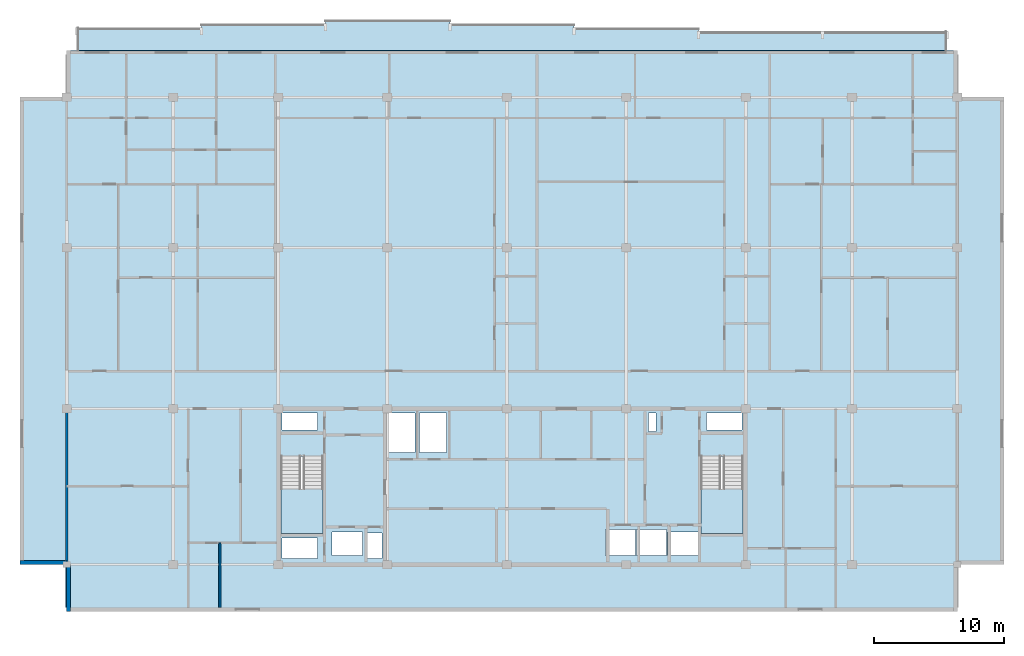
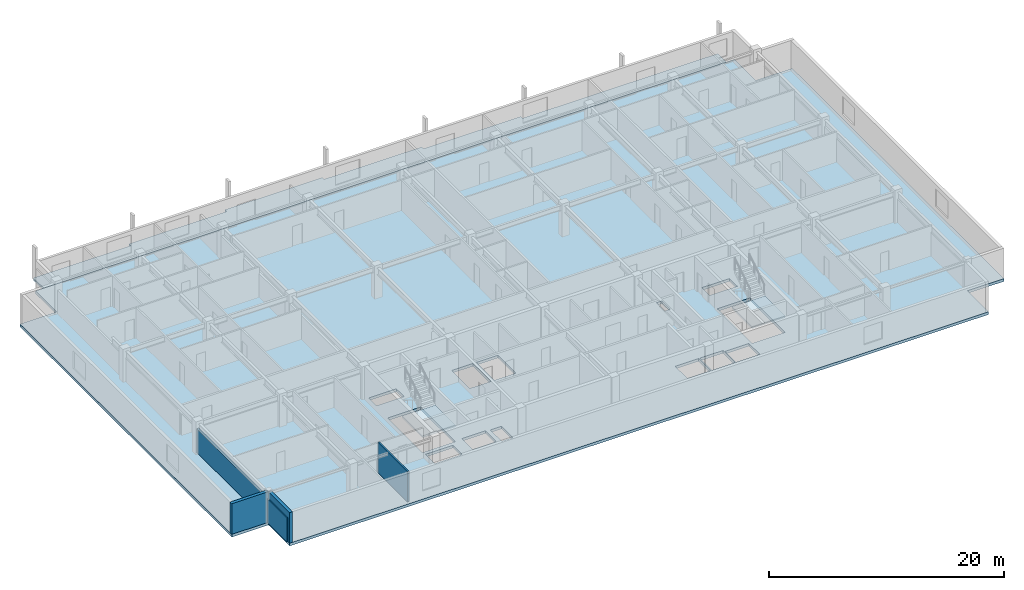
# One storey, part 2 of 10: 4 slabs, 4 walls, 2 elements without a shape of their own.
"""IFC4 building model written with IfcOpenShell, lengths in metres."""

from ifc_helpers import new_model, si_unit, direction, frame, frame_2d, origin, place, context, subcontext, project, spatial, polyline, rectangle, outline, extrude, material, layer, layer_set, type_object, element, aggregate, save


model = new_model("IFC4")

# Units and contexts
model_context = context("Model", 3, precision=1e-05, world=origin(), true_north=direction((0.0, 1.0)))
body_context = subcontext(model_context, "Body", "Model", "MODEL_VIEW")
ifc_project = project(units=[si_unit("LENGTHUNIT", "METRE"), si_unit("AREAUNIT", "SQUARE_METRE"), si_unit("VOLUMEUNIT", "CUBIC_METRE"), si_unit("PLANEANGLEUNIT", "RADIAN"), si_unit("MASSUNIT", "GRAM", prefix="KILO")], contexts=[model_context])

# Site, building, storey
site_placement = place(None, origin())
site = spatial("IfcSite", under=ifc_project, at=site_placement, CompositionType="ELEMENT")
building_placement = place(site_placement, origin())
building = spatial("IfcBuilding", under=site, at=building_placement, Name="Korimba Cascade Residences", CompositionType="ELEMENT")
storey_placement = place(building_placement, frame((0.0, 0.0, 239.0)))
storey = spatial("IfcBuildingStorey", under=building, at=storey_placement, Name="L69", CompositionType="ELEMENT", Elevation=239.0)

# Stair, slab
ifc_material_1 = material(Name="Concrete C50/60", Category="concrete")
stair_type_1 = type_object("IfcStairType", Name="STR-W1-20R-1725", PredefinedType="HALF_TURN_STAIR", material=ifc_material_1)
stair_1_placement = place(storey_placement, origin())
stair_1 = element("IfcStair", 1, at=stair_1_placement, inside=storey, type_object=stair_type_1, Name="L69 Tower 1 West Fire Stair ST-W1", PredefinedType="HALF_TURN_STAIR")
ifc_layer_1 = layer(ifc_material_1, 0.199951171875)
ifc_layer_set_1 = layer_set([ifc_layer_1], Name="Concrete C50/60")
slab_type_1 = type_object("IfcSlabType", Name="SLB-LND-220", PredefinedType="LANDING", material=ifc_layer_set_1)
slab_1_placement = place(storey_placement, frame((0.0, 0.0, 1.52490234375)))
slab_1 = element("IfcSlab", 2, at=slab_1_placement, type_object=slab_type_1, Name="ST-W1 landing 1", PredefinedType="LANDING", context=body_context, shape_type="SweptSolid", body=[
    extrude(outline(polyline([(76.300048828125, 61.030029296875), (76.300048828125, 57.60009765625), (79.5400390625, 57.60009765625), (79.5400390625, 61.030029296875), (76.300048828125, 61.030029296875)])), origin(), (0.0, 0.0, 1.0), 0.2001953125),
])
aggregate(stair_1, [slab_1])

stair_type_2 = type_object("IfcStairType", Name="STR-W2-20R-1725", PredefinedType="HALF_TURN_STAIR", material=ifc_material_1)
stair_2_placement = place(storey_placement, origin())
stair_2 = element("IfcStair", 3, at=stair_2_placement, inside=storey, type_object=stair_type_2, Name="L69 Tower 1 East Fire Stair ST-W2", PredefinedType="HALF_TURN_STAIR")
slab_2_placement = place(storey_placement, frame((0.0, 0.0, 1.52490234375)))
slab_2 = element("IfcSlab", 4, at=slab_2_placement, type_object=slab_type_1, Name="ST-W2 landing 1", PredefinedType="LANDING", context=body_context, shape_type="SweptSolid", body=[
    extrude(outline(polyline([(108.659912109375, 61.030029296875), (108.659912109375, 57.60009765625), (111.89990234375, 57.60009765625), (111.89990234375, 61.030029296875), (108.659912109375, 61.030029296875)])), origin(), (0.0, 0.0, 1.0), 0.2001953125),
])
aggregate(stair_2, [slab_2])

# Slabs
ifc_material_2 = material(Name="Precast concrete C40/50", Category="concrete")
ifc_layer_2 = layer(ifc_material_2, 0.239990234375)
ifc_layer_set_2 = layer_set([ifc_layer_2], Name="Precast concrete C40/50")
slab_type_2 = type_object("IfcSlabType", Name="SLB-LOG-240", PredefinedType="FLOOR", material=ifc_layer_set_2)
slab_3_placement = place(storey_placement, frame((0.0, 0.0, -0.239990234375)))
element("IfcSlab", 5, at=slab_3_placement, inside=storey, type_object=slab_type_2, Name="L69 Tower 1 North Loggia Slab", PredefinedType="FLOOR", context=body_context, shape_type="SweptSolid", body=[
    extrude(outline(polyline([(60.60009765625, 94.800048828125), (127.60009765625, 94.800048828125), (127.60009765625, 96.25), (108.45703125, 96.25), (108.45703125, 96.550048828125), (98.8857421875, 96.550048828125), (98.8857421875, 96.85009765625), (89.314208984375, 96.85009765625), (89.314208984375, 97.14990234375), (79.742919921875, 97.14990234375), (79.742919921875, 96.85009765625), (70.17138671875, 96.85009765625), (70.17138671875, 96.550048828125), (60.60009765625, 96.550048828125), (60.60009765625, 94.800048828125)])), origin(), (0.0, 0.0, 1.0), 0.239990234375),
])
ifc_layer_3 = layer(ifc_material_1, 0.280029296875)
ifc_layer_set_3 = layer_set([ifc_layer_3], Name="Concrete C50/60")
slab_type_3 = type_object("IfcSlabType", Name="SLB-TYP-280", PredefinedType="FLOOR", material=ifc_layer_set_3)
slab_4_placement = place(storey_placement, frame((0.0, 0.0, -0.280029296875)))
element("IfcSlab", 6, at=slab_4_placement, inside=storey, type_object=slab_type_3, Name="L69 Tower 1 Floor Slab", PredefinedType="FLOOR", context=body_context, shape_type="SweptSolid", body=[
    extrude(outline(polyline([(59.800048828125, 51.60009765625), (128.39990234375, 51.60009765625), (128.39990234375, 55.199951171875), (132.0, 55.199951171875), (132.0, 91.199951171875), (128.39990234375, 91.199951171875), (128.39990234375, 94.800048828125), (59.800048828125, 94.800048828125), (59.800048828125, 91.199951171875), (56.199951171875, 91.199951171875), (56.199951171875, 55.199951171875), (59.800048828125, 55.199951171875), (59.800048828125, 51.60009765625)]), holes=[polyline([(76.300048828125, 63.514892578125), (76.300048828125, 57.60009765625), (79.5400390625, 57.60009765625), (79.5400390625, 63.514892578125), (76.300048828125, 63.514892578125)]), polyline([(108.659912109375, 63.514892578125), (108.659912109375, 57.60009765625), (111.89990234375, 57.60009765625), (111.89990234375, 63.514892578125), (108.659912109375, 63.514892578125)]), polyline([(80.22998046875, 55.8798828125), (82.570068359375, 55.8798828125), (82.570068359375, 57.719970703125), (80.22998046875, 57.719970703125), (80.22998046875, 55.8798828125)]), polyline([(106.080078125, 55.8798828125), (108.419921875, 55.8798828125), (108.419921875, 57.719970703125), (106.080078125, 57.719970703125), (106.080078125, 55.8798828125)]), polyline([(101.304931640625, 55.8798828125), (103.594970703125, 55.8798828125), (103.594970703125, 57.919921875), (101.304931640625, 57.919921875), (101.304931640625, 55.8798828125)]), polyline([(103.705078125, 55.8798828125), (105.9951171875, 55.8798828125), (105.9951171875, 57.919921875), (103.705078125, 57.919921875), (103.705078125, 55.8798828125)]), polyline([(82.97998046875, 55.679931640625), (84.080078125, 55.679931640625), (84.080078125, 57.6201171875), (82.97998046875, 57.6201171875), (82.97998046875, 55.679931640625)]), polyline([(76.39990234375, 65.56005859375), (79.10009765625, 65.56005859375), (79.10009765625, 66.8798828125), (76.39990234375, 66.8798828125), (76.39990234375, 65.56005859375)]), polyline([(76.39990234375, 55.679931640625), (79.10009765625, 55.679931640625), (79.10009765625, 57.239990234375), (76.39990234375, 57.239990234375), (76.39990234375, 55.679931640625)]), polyline([(84.530029296875, 63.820068359375), (86.6201171875, 63.820068359375), (86.6201171875, 66.8798828125), (84.530029296875, 66.8798828125), (84.530029296875, 63.820068359375)]), polyline([(86.97998046875, 63.820068359375), (89.070068359375, 63.820068359375), (89.070068359375, 66.8798828125), (86.97998046875, 66.8798828125), (86.97998046875, 63.820068359375)]), polyline([(104.6201171875, 65.4599609375), (105.179931640625, 65.4599609375), (105.179931640625, 66.8798828125), (104.6201171875, 66.8798828125), (104.6201171875, 65.4599609375)]), polyline([(109.080078125, 65.56005859375), (111.800048828125, 65.56005859375), (111.800048828125, 66.8798828125), (109.080078125, 66.8798828125), (109.080078125, 65.56005859375)])]), origin(), (0.0, 0.0, 1.0), 0.280029296875),
])

# Walls
ifc_layer_4 = layer(ifc_material_2, 0.300048828125)
ifc_layer_set_4 = layer_set([ifc_layer_4], Name="Precast concrete C40/50")
wall_type_1 = type_object("IfcWallType", Name="EW-STONE-300", PredefinedType="STANDARD", material=ifc_layer_set_4)
wall_1_placement = place(storey_placement, frame((56.199951171875, 55.35009765625, 0.0), z_axis=(0.0, 0.0, 1.0), x_axis=(1.0, 0.0, 0.0)))
element("IfcWall", 7, at=wall_1_placement, inside=storey, type_object=wall_type_1, Name="L69 T1 Perimeter Stone Wall E10", PredefinedType="STANDARD", context=body_context, shape_type="SweptSolid", body=[
    extrude(rectangle(XDim=3.60009765625, YDim=0.300048828125, at=frame_2d((1.800048828125, 0.0))), origin(), (0.0, 0.0, 1.0), 3.169921875),
])
wall_2_placement = place(storey_placement, frame((59.949951171875, 55.199951171875, 0.0), z_axis=(0.0, 0.0, 1.0), x_axis=(0.0, -1.0, 0.0)))
element("IfcWall", 8, at=wall_2_placement, inside=storey, type_object=wall_type_1, Name="L69 T1 Perimeter Stone Wall E11", PredefinedType="STANDARD", context=body_context, shape_type="SweptSolid", body=[
    extrude(rectangle(XDim=3.599853515625, YDim=0.300048828125, at=frame_2d((1.7998046875, 0.0))), origin(), (0.0, 0.0, 1.0), 3.169921875),
])
ifc_layer_5 = layer(ifc_material_2, 0.199951171875)
ifc_layer_set_5 = layer_set([ifc_layer_5], Name="Precast concrete C40/50")
wall_type_2 = type_object("IfcWallType", Name="WAL-IT-200", PredefinedType="PARTITIONING", material=ifc_layer_set_5)
wall_3_placement = place(storey_placement, frame((59.800048828125, 51.89990234375, 0.0), z_axis=(0.0, 0.0, 1.0), x_axis=(0.0, 1.0, 0.0)))
element("IfcWall", 9, at=wall_3_placement, inside=storey, type_object=wall_type_2, Name="L69 Partition Wall WAL-L69-T1-FW-WL", PredefinedType="PARTITIONING", context=body_context, shape_type="SweptSolid", body=[
    extrude(rectangle(XDim=15.300048828125, YDim=0.199951171875, at=frame_2d((7.64990234375, 0.0))), origin(), (0.0, 0.0, 1.0), 2.47705078125),
])
ifc_material_3 = material(Name="Insulated Acoustic Stud Partition", Category="gypsum")
ifc_layer_6 = layer(ifc_material_3, 0.14990234375)
ifc_layer_set_6 = layer_set([ifc_layer_6], Name="Insulated Acoustic Stud Partition")
wall_type_3 = type_object("IfcWallType", Name="WAL-PART-150", PredefinedType="PARTITIONING", material=ifc_layer_set_6)
wall_4_placement = place(storey_placement, frame((71.60009765625, 51.89990234375, 0.0), z_axis=(0.0, 0.0, 1.0), x_axis=(0.0, 1.0, 0.0)))
element("IfcWall", 10, at=wall_4_placement, inside=storey, type_object=wall_type_3, Name="L69 Partition Wall WAL-L69-T1-FW-VS", PredefinedType="PARTITIONING", context=body_context, shape_type="SweptSolid", body=[
    extrude(rectangle(XDim=4.97021484375, YDim=0.14990234375, at=frame_2d((2.485107421875, 0.0))), origin(), (0.0, 0.0, 1.0), 3.169921875),
])

save(model, "model.ifc")
